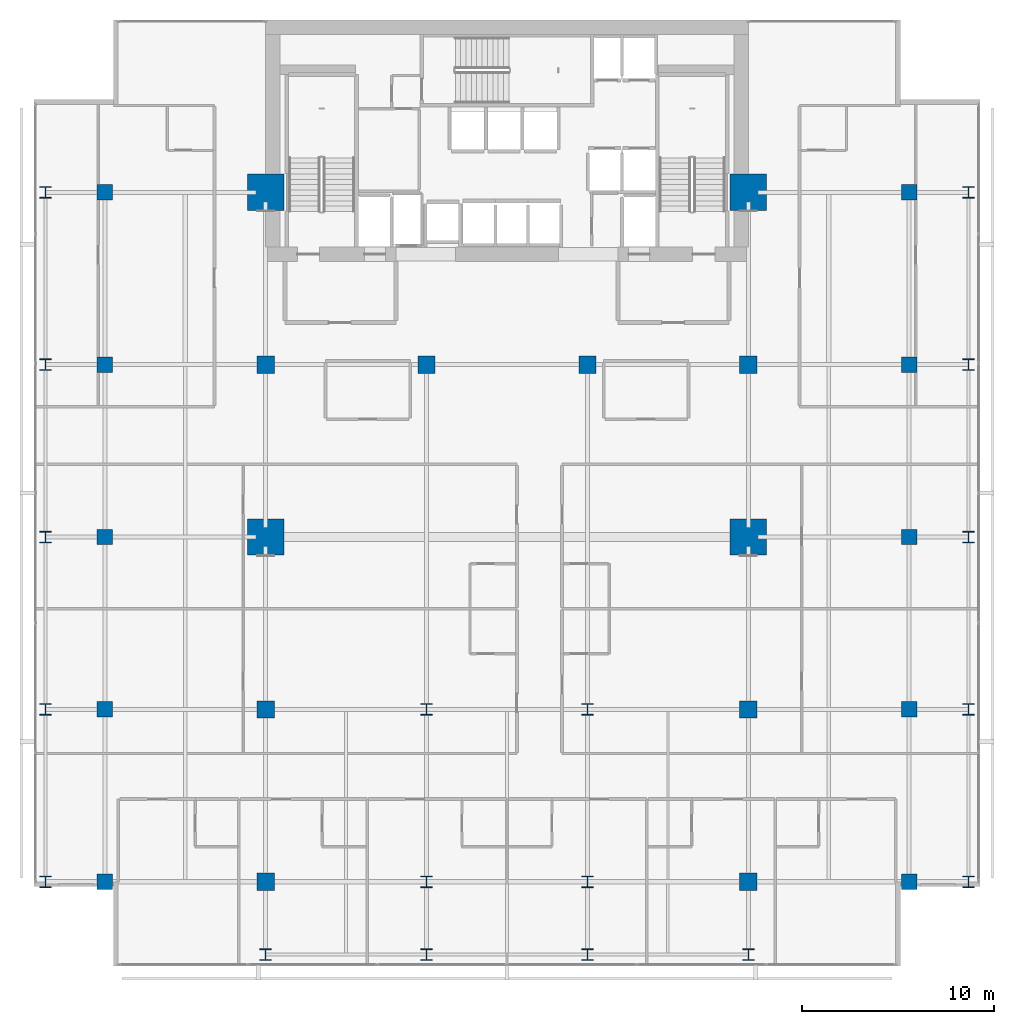
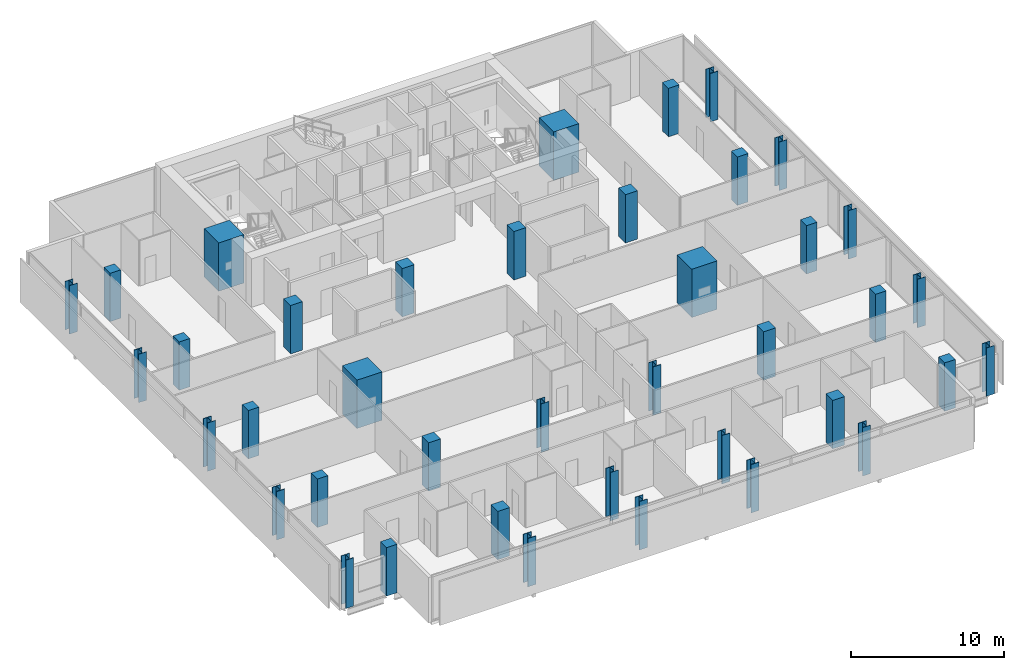
# One storey, part 1 of 33: 40 columns.
"""IFC4 building model written with IfcOpenShell, lengths in metres."""

from ifc_helpers import new_model, si_unit, direction, frame, origin, origin_2d, place, context, subcontext, project, spatial, rectangle, i_section, extrude, material, material_profile, profile_set, type_object, element, save


model = new_model("IFC4")

# Units and contexts
model_context = context("Model", 3, precision=1e-05, world=origin(), true_north=direction((0.0, 1.0)))
body_context = subcontext(model_context, "Body", "Model", "MODEL_VIEW")
ifc_project = project(units=[si_unit("LENGTHUNIT", "METRE"), si_unit("AREAUNIT", "SQUARE_METRE"), si_unit("VOLUMEUNIT", "CUBIC_METRE"), si_unit("PLANEANGLEUNIT", "RADIAN"), si_unit("MASSUNIT", "GRAM", prefix="KILO")], contexts=[model_context])

# Site, building, storey
site_placement = place(None, origin())
site = spatial("IfcSite", under=ifc_project, at=site_placement, CompositionType="ELEMENT")
building_placement = place(site_placement, origin())
building = spatial("IfcBuilding", under=site, at=building_placement, Name="Maruvema Waterfront Hotel and Observation Tower", CompositionType="ELEMENT")
storey_placement = place(building_placement, frame((0.0, 0.0, 200.550048828125)))
storey = spatial("IfcBuildingStorey", under=building, at=storey_placement, Name="L49", CompositionType="ELEMENT", Elevation=200.550048828125)

# Columns
ifc_material_1 = material(Name="Concrete C80/95", Category="concrete")
ifc_material_profile_1 = material_profile(ifc_material_1, rectangle(XDim=1.89990234375, YDim=1.89990234375, at=origin_2d()), Name="MC1900x1900")
ifc_profile_set_1 = profile_set([ifc_material_profile_1], Name="Concrete C80/95")
column_type_1 = type_object("IfcColumnType", Name="Continuous Mega-Column MC1900x1900", PredefinedType="COLUMN", material=ifc_profile_set_1)
for number, where, z_axis, x_axis, name in (
    (1, (25.199951171875, 27.0, 0.0), (0.0, 0.0, 1.0), (1.0, 0.0, 0.0), "L49 Continuous Mega-Column MC-01"),
    (2, (50.39990234375, 27.0, 0.0), (0.0, 0.0, 1.0), (1.0, 0.0, 0.0), "L49 Continuous Mega-Column MC-02"),
    (3, (25.199951171875, 45.0, 0.0), (0.0, 0.0, 1.0), (1.0, 0.0, 0.0), "L49 Continuous Mega-Column MC-03"),
    (4, (50.39990234375, 45.0, 0.0), (0.0, 0.0, 1.0), (1.0, 0.0, 0.0), "L49 Continuous Mega-Column MC-04"),
):
    element("IfcColumn", number, at=place(storey_placement, frame(where, z_axis=z_axis, x_axis=x_axis)), inside=storey, type_object=column_type_1, Name=name, PredefinedType="COLUMN", context=body_context, shape_type="SweptSolid", body=[
        extrude(rectangle(XDim=1.89990234375, YDim=1.89990234375, at=origin_2d()), origin(), (0.0, 0.0, 1.0), 3.849853515625),
    ])
ifc_material_2 = material(Name="Concrete C60/75", Category="concrete")
ifc_material_profile_2 = material_profile(ifc_material_2, rectangle(XDim=0.800048828125, YDim=0.800048828125, at=origin_2d()), Name="RC800x800")
ifc_profile_set_2 = profile_set([ifc_material_profile_2], Name="Concrete C60/75")
column_type_2 = type_object("IfcColumnType", Name="Reinforced Concrete Column RC800x800", PredefinedType="COLUMN", material=ifc_profile_set_2)
for number, where, z_axis, x_axis, name in (
    (5, (16.800048828125, 9.0, 0.0), (0.0, 0.0, 1.0), (1.0, 0.0, 0.0), "L49 Column C-3Y9"),
    (6, (58.800048828125, 9.0, 0.0), (0.0, 0.0, 1.0), (1.0, 0.0, 0.0), "L49 Column C-8Y9"),
    (7, (16.800048828125, 18.0, 0.0), (0.0, 0.0, 1.0), (1.0, 0.0, 0.0), "L49 Column C-3Y18"),
    (8, (58.800048828125, 18.0, 0.0), (0.0, 0.0, 1.0), (1.0, 0.0, 0.0), "L49 Column C-8Y18"),
    (9, (16.800048828125, 27.0, 0.0), (0.0, 0.0, 1.0), (1.0, 0.0, 0.0), "L49 Column C-3Y27"),
    (10, (58.800048828125, 27.0, 0.0), (0.0, 0.0, 1.0), (1.0, 0.0, 0.0), "L49 Column C-8Y27"),
    (11, (16.800048828125, 36.0, 0.0), (0.0, 0.0, 1.0), (1.0, 0.0, 0.0), "L49 Column C-3Y36"),
    (12, (58.800048828125, 36.0, 0.0), (0.0, 0.0, 1.0), (1.0, 0.0, 0.0), "L49 Column C-8Y36"),
    (13, (16.800048828125, 45.0, 0.0), (0.0, 0.0, 1.0), (1.0, 0.0, 0.0), "L49 Column C-3Y45"),
    (14, (58.800048828125, 45.0, 0.0), (0.0, 0.0, 1.0), (1.0, 0.0, 0.0), "L49 Column C-8Y45"),
):
    element("IfcColumn", number, at=place(storey_placement, frame(where, z_axis=z_axis, x_axis=x_axis)), inside=storey, type_object=column_type_2, Name=name, PredefinedType="COLUMN", context=body_context, shape_type="SweptSolid", body=[
        extrude(rectangle(XDim=0.800048828125, YDim=0.800048828125, at=origin_2d()), origin(), (0.0, 0.0, 1.0), 3.849853515625),
    ])
ifc_material_3 = material(Name="Concrete C60/75", Category="concrete")
ifc_material_profile_3 = material_profile(ifc_material_3, rectangle(XDim=0.89990234375, YDim=0.89990234375, at=origin_2d()), Name="RC900x900")
ifc_profile_set_3 = profile_set([ifc_material_profile_3], Name="Concrete C60/75")
column_type_3 = type_object("IfcColumnType", Name="Reinforced Concrete Column RC900x900", PredefinedType="COLUMN", material=ifc_profile_set_3)
for number, where, z_axis, x_axis, name in (
    (15, (25.199951171875, 36.0, 0.0), (0.0, 0.0, 1.0), (1.0, 0.0, 0.0), "L49 Column C-4E"),
    (16, (33.60009765625, 36.0, 0.0), (0.0, 0.0, 1.0), (1.0, 0.0, 0.0), "L49 Column C-5E"),
    (17, (42.0, 36.0, 0.0), (0.0, 0.0, 1.0), (1.0, 0.0, 0.0), "L49 Column C-6E"),
    (18, (50.39990234375, 36.0, 0.0), (0.0, 0.0, 1.0), (1.0, 0.0, 0.0), "L49 Column C-7E"),
    (19, (25.199951171875, 18.0, 0.0), (0.0, 0.0, 1.0), (1.0, 0.0, 0.0), "L49 Column C-4C"),
    (20, (50.39990234375, 18.0, 0.0), (0.0, 0.0, 1.0), (1.0, 0.0, 0.0), "L49 Column C-7C"),
    (21, (25.199951171875, 9.0, 0.0), (0.0, 0.0, 1.0), (1.0, 0.0, 0.0), "L49 Column C-4B"),
    (22, (50.39990234375, 9.0, 0.0), (0.0, 0.0, 1.0), (1.0, 0.0, 0.0), "L49 Column C-7B"),
):
    element("IfcColumn", number, at=place(storey_placement, frame(where, z_axis=z_axis, x_axis=x_axis)), inside=storey, type_object=column_type_3, Name=name, PredefinedType="COLUMN", context=body_context, shape_type="SweptSolid", body=[
        extrude(rectangle(XDim=0.89990234375, YDim=0.89990234375, at=origin_2d()), origin(), (0.0, 0.0, 1.0), 3.849853515625),
    ])
ifc_material_4 = material(Name="Steel ABNT NBR 7007 AR 415 (ASTM A572 Grade 50)", Category="steel")
ifc_material_profile_4 = material_profile(ifc_material_4, i_section(OverallWidth=0.60009765625, OverallDepth=0.60009765625, WebThickness=0.02490234375, FlangeThickness=0.0380859375, at=origin_2d()), Name="CVS600x317")
ifc_profile_set_4 = profile_set([ifc_material_profile_4], Name="Steel ABNT NBR 7007 AR 415 (ASTM A572 Grade 50)")
column_type_4 = type_object("IfcColumnType", Name="Structural Steel Column CVS600x317", PredefinedType="COLUMN", material=ifc_profile_set_4)
for number, where, z_axis, x_axis, name in (
    (23, (33.60009765625, 9.0, 0.0), (0.0, 0.0, 1.0), (1.0, 0.0, 0.0), "L49 Column C-5B"),
    (24, (42.0, 9.0, 0.0), (0.0, 0.0, 1.0), (1.0, 0.0, 0.0), "L49 Column C-6B"),
    (25, (33.60009765625, 18.0, 0.0), (0.0, 0.0, 1.0), (1.0, 0.0, 0.0), "L49 Column C-5C"),
    (26, (42.0, 18.0, 0.0), (0.0, 0.0, 1.0), (1.0, 0.0, 0.0), "L49 Column C-6C"),
    (27, (13.699951171875, 9.0, 0.0), (0.0, 0.0, 1.0), (1.0, 0.0, 0.0), "L49 Column C-Z2W9"),
    (28, (61.89990234375, 9.0, 0.0), (0.0, 0.0, 1.0), (1.0, 0.0, 0.0), "L49 Column C-Z2E9"),
    (29, (13.699951171875, 18.0, 0.0), (0.0, 0.0, 1.0), (1.0, 0.0, 0.0), "L49 Column C-Z2W18"),
    (30, (61.89990234375, 18.0, 0.0), (0.0, 0.0, 1.0), (1.0, 0.0, 0.0), "L49 Column C-Z2E18"),
    (31, (13.699951171875, 27.0, 0.0), (0.0, 0.0, 1.0), (1.0, 0.0, 0.0), "L49 Column C-Z2W27"),
    (32, (61.89990234375, 27.0, 0.0), (0.0, 0.0, 1.0), (1.0, 0.0, 0.0), "L49 Column C-Z2E27"),
    (33, (13.699951171875, 36.0, 0.0), (0.0, 0.0, 1.0), (1.0, 0.0, 0.0), "L49 Column C-Z2W36"),
    (34, (61.89990234375, 36.0, 0.0), (0.0, 0.0, 1.0), (1.0, 0.0, 0.0), "L49 Column C-Z2E36"),
    (35, (13.699951171875, 45.0, 0.0), (0.0, 0.0, 1.0), (1.0, 0.0, 0.0), "L49 Column C-Z2W45"),
    (36, (61.89990234375, 45.0, 0.0), (0.0, 0.0, 1.0), (1.0, 0.0, 0.0), "L49 Column C-Z2E45"),
    (37, (25.199951171875, 5.199951171875, 0.0), (0.0, 0.0, 1.0), (1.0, 0.0, 0.0), "L49 Column C-Z2S4"),
    (38, (33.60009765625, 5.199951171875, 0.0), (0.0, 0.0, 1.0), (1.0, 0.0, 0.0), "L49 Column C-Z2S5"),
    (39, (42.0, 5.199951171875, 0.0), (0.0, 0.0, 1.0), (1.0, 0.0, 0.0), "L49 Column C-Z2S6"),
    (40, (50.39990234375, 5.199951171875, 0.0), (0.0, 0.0, 1.0), (1.0, 0.0, 0.0), "L49 Column C-Z2S7"),
):
    element("IfcColumn", number, at=place(storey_placement, frame(where, z_axis=z_axis, x_axis=x_axis)), inside=storey, type_object=column_type_4, Name=name, PredefinedType="COLUMN", context=body_context, shape_type="SweptSolid", body=[
        extrude(i_section(OverallWidth=0.60009765625, OverallDepth=0.60009765625, WebThickness=0.02490234375, FlangeThickness=0.0380859375, at=origin_2d()), origin(), (0.0, 0.0, 1.0), 3.849853515625),
    ])

save(model, "model.ifc")
